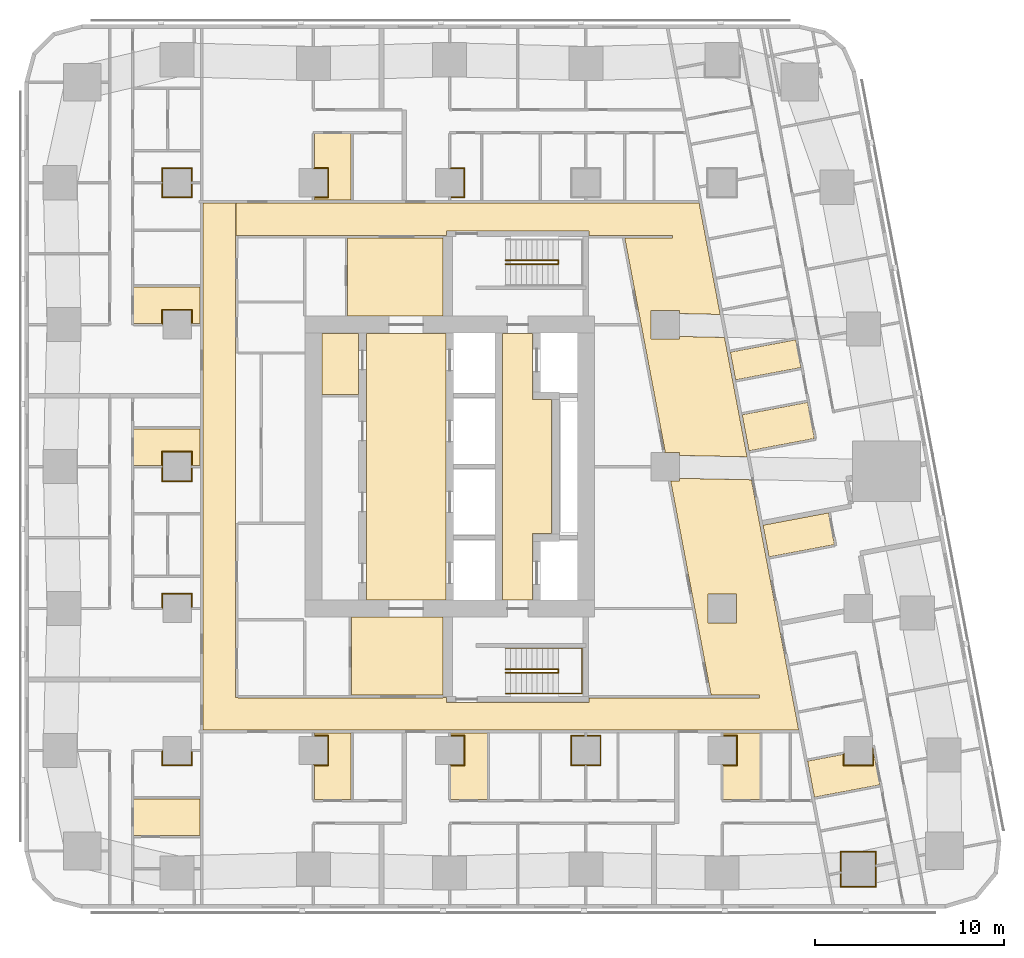
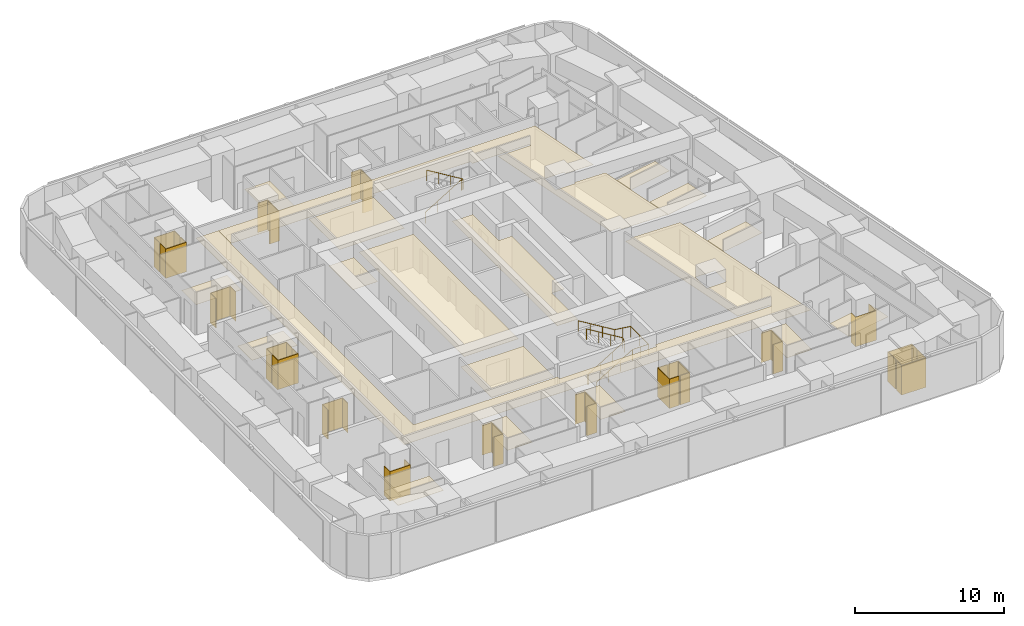
# One storey, part 14 of 15: 35 coverings, 3 railings.
"""IFC4 building model written with IfcOpenShell, lengths in metres."""

from ifc_helpers import new_model, si_unit, direction, frame, origin, origin_2d, place, context, subcontext, project, spatial, polyline, circle, outline, extrude, material, layer, layer_set, type_object, element, save


model = new_model("IFC4")

# Units and contexts
model_context = context("Model", 3, precision=1e-05, world=origin(), true_north=direction((0.0, 1.0)))
body_context = subcontext(model_context, "Body", "Model", "MODEL_VIEW")
ifc_project = project(units=[si_unit("LENGTHUNIT", "METRE"), si_unit("AREAUNIT", "SQUARE_METRE"), si_unit("VOLUMEUNIT", "CUBIC_METRE"), si_unit("PLANEANGLEUNIT", "RADIAN"), si_unit("MASSUNIT", "GRAM", prefix="KILO")], contexts=[model_context])

# Site, building, storey
site_placement = place(None, origin())
site = spatial("IfcSite", under=ifc_project, at=site_placement, CompositionType="ELEMENT")
building_placement = place(site_placement, origin())
building = spatial("IfcBuilding", under=site, at=building_placement, Name="Sheger Commons Tower", CompositionType="ELEMENT")
storey_placement = place(building_placement, frame((0.0, 0.0, 158.300048828125)))
storey = spatial("IfcBuildingStorey", under=building, at=storey_placement, Name="L40", CompositionType="ELEMENT", Elevation=158.300048828125)

# Railings
ifc_material_1 = material(Name="Steel handrail, black powder-coated", Category="steel")
railing_type = type_object("IfcRailingType", Name="HANDRAIL 900", PredefinedType="HANDRAIL", material=ifc_material_1)
railing_1_placement = place(storey_placement, frame((24.550048828125, 11.60009765625, 0.17041015625)))
element("IfcRailing", 1, at=railing_1_placement, inside=storey, type_object=railing_type, Name="Stair S1 handrail L40", PredefinedType="HANDRAIL", context=body_context, shape_type="SweptSolid", body=[
    extrude(circle(Radius=0.02392578125, at=origin_2d()), frame((0.0, 0.0, 0.8759765625), z_axis=(0.854169791009, 0.0, 0.51999420009), x_axis=(0.0, 1.0, 0.0)), (0.0, 0.0, 1.0), 3.278076171875),
    extrude(circle(Radius=0.02392578125, at=origin_2d()), frame((2.800048828125, 0.0, 2.58056640625), z_axis=(0.0, 0.761090297175, 0.648645943136), x_axis=(-1.0, 0.0, 0.0)), (0.0, 0.0, 1.0), 0.2626953125),
    extrude(circle(Radius=0.02392578125, at=origin_2d()), frame((2.800048828125, 0.199951171875, 2.7509765625), z_axis=(-0.854169791009, 0.0, 0.51999420009), x_axis=(0.0, -1.0, 0.0)), (0.0, 0.0, 1.0), 3.278076171875),
    extrude(circle(Radius=0.02099609375, at=origin_2d()), origin(), (0.0, 0.0, 1.0), 0.851806640625),
    extrude(circle(Radius=0.02099609375, at=origin_2d()), frame((0.933349609375, 0.0, 0.568115234375)), (0.0, 0.0, 1.0), 0.851806640625),
    extrude(circle(Radius=0.02099609375, at=origin_2d()), frame((1.86669921875, 0.0, 1.136474609375)), (0.0, 0.0, 1.0), 0.851806640625),
    extrude(circle(Radius=0.02099609375, at=origin_2d()), frame((2.800048828125, 0.0, 1.70458984375)), (0.0, 0.0, 1.0), 0.851806640625),
    extrude(circle(Radius=0.02099609375, at=origin_2d()), frame((2.800048828125, 0.199951171875, 1.875)), (0.0, 0.0, 1.0), 0.851806640625),
    extrude(circle(Radius=0.02099609375, at=origin_2d()), frame((1.86669921875, 0.199951171875, 2.443115234375)), (0.0, 0.0, 1.0), 0.851806640625),
    extrude(circle(Radius=0.02099609375, at=origin_2d()), frame((0.933349609375, 0.199951171875, 3.011474609375)), (0.0, 0.0, 1.0), 0.851806640625),
    extrude(circle(Radius=0.02099609375, at=origin_2d()), frame((0.0, 0.199951171875, 3.57958984375)), (0.0, 0.0, 1.0), 0.851806640625),
])
railing_2_placement = place(storey_placement, frame((24.550048828125, 10.5, 0.17041015625)))
element("IfcRailing", 2, at=railing_2_placement, inside=storey, type_object=railing_type, Name="Stair S1 handrail L40", PredefinedType="HANDRAIL", context=body_context, shape_type="SweptSolid", body=[
    extrude(circle(Radius=0.02392578125, at=origin_2d()), frame((0.0, 0.0, 0.8759765625), z_axis=(0.854169791009, 0.0, 0.51999420009), x_axis=(0.0, 1.0, 0.0)), (0.0, 0.0, 1.0), 3.278076171875),
    extrude(circle(Radius=0.02392578125, at=origin_2d()), frame((2.800048828125, 0.0, 2.58056640625), z_axis=(1.0, 0.0, 0.0), x_axis=(0.0, 1.0, 0.0)), (0.0, 0.0, 1.0), 1.25),
    extrude(circle(Radius=0.02392578125, at=origin_2d()), frame((4.050048828125, 0.0, 2.58056640625), z_axis=(0.0, 1.0, 0.0), x_axis=(-1.0, 0.0, 0.0)), (0.0, 0.0, 1.0), 2.39990234375),
    extrude(circle(Radius=0.02392578125, at=origin_2d()), frame((4.050048828125, 2.39990234375, 2.58056640625), z_axis=(-0.990834877927, 0.0, 0.135078661092), x_axis=(0.0, -1.0, 0.0)), (0.0, 0.0, 1.0), 1.261474609375),
    extrude(circle(Radius=0.02392578125, at=origin_2d()), frame((2.800048828125, 2.39990234375, 2.7509765625), z_axis=(-0.854169791009, 0.0, 0.51999420009), x_axis=(0.0, -1.0, 0.0)), (0.0, 0.0, 1.0), 3.278076171875),
    extrude(circle(Radius=0.02099609375, at=origin_2d()), origin(), (0.0, 0.0, 1.0), 0.851806640625),
    extrude(circle(Radius=0.02099609375, at=origin_2d()), frame((0.933349609375, 0.0, 0.568115234375)), (0.0, 0.0, 1.0), 0.851806640625),
    extrude(circle(Radius=0.02099609375, at=origin_2d()), frame((1.86669921875, 0.0, 1.136474609375)), (0.0, 0.0, 1.0), 0.851806640625),
    extrude(circle(Radius=0.02099609375, at=origin_2d()), frame((2.800048828125, 0.0, 1.70458984375)), (0.0, 0.0, 1.0), 0.851806640625),
    extrude(circle(Radius=0.02099609375, at=origin_2d()), frame((3.425048828125, 0.0, 1.70458984375)), (0.0, 0.0, 1.0), 0.851806640625),
    extrude(circle(Radius=0.02099609375, at=origin_2d()), frame((4.050048828125, 0.0, 1.70458984375)), (0.0, 0.0, 1.0), 0.851806640625),
    extrude(circle(Radius=0.02099609375, at=origin_2d()), frame((4.050048828125, 1.199951171875, 1.70458984375)), (0.0, 0.0, 1.0), 0.851806640625),
    extrude(circle(Radius=0.02099609375, at=origin_2d()), frame((4.050048828125, 2.39990234375, 1.70458984375)), (0.0, 0.0, 1.0), 0.851806640625),
    extrude(circle(Radius=0.02099609375, at=origin_2d()), frame((3.425048828125, 2.39990234375, 1.789794921875)), (0.0, 0.0, 1.0), 0.851806640625),
    extrude(circle(Radius=0.02099609375, at=origin_2d()), frame((2.800048828125, 2.39990234375, 1.875)), (0.0, 0.0, 1.0), 0.851806640625),
    extrude(circle(Radius=0.02099609375, at=origin_2d()), frame((1.86669921875, 2.39990234375, 2.443115234375)), (0.0, 0.0, 1.0), 0.851806640625),
    extrude(circle(Radius=0.02099609375, at=origin_2d()), frame((0.933349609375, 2.39990234375, 3.011474609375)), (0.0, 0.0, 1.0), 0.851806640625),
    extrude(circle(Radius=0.02099609375, at=origin_2d()), frame((0.0, 2.39990234375, 3.57958984375)), (0.0, 0.0, 1.0), 0.851806640625),
])
railing_3_placement = place(storey_placement, frame((24.550048828125, 33.39990234375, 0.17041015625)))
element("IfcRailing", 3, at=railing_3_placement, inside=storey, type_object=railing_type, Name="Stair S2 handrail L40", PredefinedType="HANDRAIL", context=body_context, shape_type="SweptSolid", body=[
    extrude(circle(Radius=0.02392578125, at=origin_2d()), frame((0.0, 0.0, 0.8759765625), z_axis=(0.854169791009, 0.0, 0.51999420009), x_axis=(0.0, 1.0, 0.0)), (0.0, 0.0, 1.0), 3.278076171875),
    extrude(circle(Radius=0.02392578125, at=origin_2d()), frame((2.800048828125, 0.0, 2.58056640625), z_axis=(0.0, -0.761090297175, 0.648645943136), x_axis=(1.0, 0.0, 0.0)), (0.0, 0.0, 1.0), 0.2626953125),
    extrude(circle(Radius=0.02392578125, at=origin_2d()), frame((2.800048828125, -0.199951171875, 2.7509765625), z_axis=(-0.854169791009, 0.0, 0.51999420009), x_axis=(0.0, -1.0, 0.0)), (0.0, 0.0, 1.0), 3.278076171875),
    extrude(circle(Radius=0.02099609375, at=origin_2d()), origin(), (0.0, 0.0, 1.0), 0.851806640625),
    extrude(circle(Radius=0.02099609375, at=origin_2d()), frame((0.933349609375, 0.0, 0.568115234375)), (0.0, 0.0, 1.0), 0.851806640625),
    extrude(circle(Radius=0.02099609375, at=origin_2d()), frame((1.86669921875, 0.0, 1.136474609375)), (0.0, 0.0, 1.0), 0.851806640625),
    extrude(circle(Radius=0.02099609375, at=origin_2d()), frame((2.800048828125, 0.0, 1.70458984375)), (0.0, 0.0, 1.0), 0.851806640625),
    extrude(circle(Radius=0.02099609375, at=origin_2d()), frame((2.800048828125, -0.199951171875, 1.875)), (0.0, 0.0, 1.0), 0.851806640625),
    extrude(circle(Radius=0.02099609375, at=origin_2d()), frame((1.86669921875, -0.199951171875, 2.443115234375)), (0.0, 0.0, 1.0), 0.851806640625),
    extrude(circle(Radius=0.02099609375, at=origin_2d()), frame((0.933349609375, -0.199951171875, 3.011474609375)), (0.0, 0.0, 1.0), 0.851806640625),
    extrude(circle(Radius=0.02099609375, at=origin_2d()), frame((0.0, -0.199951171875, 3.57958984375)), (0.0, 0.0, 1.0), 0.851806640625),
])

# Coverings
ifc_material_2 = material(Name="Moisture-resistant gypsum plasterboard 15 mm on a suspended galvanised steel grid", Category="steel")
ifc_layer_1 = layer(ifc_material_2, 0.014892578125)
ifc_layer_set_1 = layer_set([ifc_layer_1], Name="MOISTURE-RESISTANT CEILING 15")
covering_type_1 = type_object("IfcCoveringType", Name="MOISTURE-RESISTANT CEILING 15", PredefinedType="CEILING", material=ifc_layer_set_1)
covering_1_placement = place(storey_placement, frame((0.0, 0.0, 2.39990234375)))
element("IfcCovering", 4, at=covering_1_placement, inside=storey, type_object=covering_type_1, Name="L40-01.B2 ceiling", PredefinedType="CEILING", context=body_context, shape_type="SweptSolid", body=[
    extrude(outline(polyline([(4.905029296875, 3.00390625), (8.419921875, 3.00390625), (8.419921875, 4.944091796875), (4.905029296875, 4.944091796875), (4.905029296875, 3.00390625)])), origin(), (0.0, 0.0, 1.0), 0.01513671875),
])
covering_2_placement = place(storey_placement, frame((0.0, 0.0, 2.39990234375)))
element("IfcCovering", 5, at=covering_2_placement, inside=storey, type_object=covering_type_1, Name="L40-02.B3 ceiling", PredefinedType="CEILING", context=body_context, shape_type="SweptSolid", body=[
    extrude(outline(polyline([(4.905029296875, 22.554931640625), (6.445068359375, 22.554931640625), (6.445068359375, 23.2548828125), (7.955078125, 23.2548828125), (7.955078125, 22.554931640625), (8.419921875, 22.554931640625), (8.419921875, 24.4951171875), (4.905029296875, 24.4951171875), (4.905029296875, 22.554931640625)])), origin(), (0.0, 0.0, 1.0), 0.01513671875),
])
covering_3_placement = place(storey_placement, frame((0.0, 0.0, 2.39990234375)))
element("IfcCovering", 6, at=covering_3_placement, inside=storey, type_object=covering_type_1, Name="L40-03.B1 ceiling", PredefinedType="CEILING", context=body_context, shape_type="SweptSolid", body=[
    extrude(outline(polyline([(4.905029296875, 30.054931640625), (6.445068359375, 30.054931640625), (6.445068359375, 30.7548828125), (7.955078125, 30.7548828125), (7.955078125, 30.054931640625), (8.419921875, 30.054931640625), (8.419921875, 31.9951171875), (4.905029296875, 31.9951171875), (4.905029296875, 30.054931640625)])), origin(), (0.0, 0.0, 1.0), 0.01513671875),
])
covering_4_placement = place(storey_placement, frame((0.0, 0.0, 2.39990234375)))
element("IfcCovering", 7, at=covering_4_placement, inside=storey, type_object=covering_type_1, Name="L40-04.B1 ceiling", PredefinedType="CEILING", context=body_context, shape_type="SweptSolid", body=[
    extrude(outline(polyline([(14.455078125, 4.905029296875), (16.39501953125, 4.905029296875), (16.39501953125, 8.419921875), (14.455078125, 8.419921875), (14.455078125, 8.2548828125), (15.155029296875, 8.2548828125), (15.155029296875, 6.7451171875), (14.455078125, 6.7451171875), (14.455078125, 4.905029296875)])), origin(), (0.0, 0.0, 1.0), 0.01513671875),
])
covering_5_placement = place(storey_placement, frame((0.0, 0.0, 2.39990234375)))
element("IfcCovering", 8, at=covering_5_placement, inside=storey, type_object=covering_type_1, Name="L40-05.B1 ceiling", PredefinedType="CEILING", context=body_context, shape_type="SweptSolid", body=[
    extrude(outline(polyline([(21.655029296875, 4.905029296875), (23.594970703125, 4.905029296875), (23.594970703125, 8.419921875), (21.655029296875, 8.419921875), (21.655029296875, 8.2548828125), (22.35498046875, 8.2548828125), (22.35498046875, 6.7451171875), (21.655029296875, 6.7451171875), (21.655029296875, 4.905029296875)])), origin(), (0.0, 0.0, 1.0), 0.01513671875),
])
covering_6_placement = place(storey_placement, frame((0.0, 0.0, 2.39990234375)))
element("IfcCovering", 9, at=covering_6_placement, inside=storey, type_object=covering_type_1, Name="L40-06.B1 ceiling", PredefinedType="CEILING", context=body_context, shape_type="SweptSolid", body=[
    extrude(outline(polyline([(36.054931640625, 4.905029296875), (37.9951171875, 4.905029296875), (37.9951171875, 8.419921875), (36.054931640625, 8.419921875), (36.054931640625, 8.2548828125), (36.7548828125, 8.2548828125), (36.7548828125, 6.7451171875), (36.054931640625, 6.7451171875), (36.054931640625, 4.905029296875)])), origin(), (0.0, 0.0, 1.0), 0.01513671875),
])
covering_7_placement = place(storey_placement, frame((0.0, 0.0, 2.39990234375)))
element("IfcCovering", 10, at=covering_7_placement, inside=storey, type_object=covering_type_1, Name="L40-07.B1 ceiling", PredefinedType="CEILING", context=body_context, shape_type="SweptSolid", body=[
    extrude(outline(polyline([(37.423095703125, 23.333984375), (40.876953125, 23.987060546875), (40.51708984375, 25.89306640625), (37.06298828125, 25.240966796875), (37.423095703125, 23.333984375)])), origin(), (0.0, 0.0, 1.0), 0.01513671875),
])
covering_8_placement = place(storey_placement, frame((0.0, 0.0, 2.39990234375)))
element("IfcCovering", 11, at=covering_8_placement, inside=storey, type_object=covering_type_1, Name="L40-07.B2 ceiling", PredefinedType="CEILING", context=body_context, shape_type="SweptSolid", body=[
    extrude(outline(polyline([(36.715087890625, 27.083984375), (40.1689453125, 27.736083984375), (39.89208984375, 29.200927734375), (36.43798828125, 28.548095703125), (36.715087890625, 27.083984375)])), origin(), (0.0, 0.0, 1.0), 0.01513671875),
])
covering_9_placement = place(storey_placement, frame((0.0, 0.0, 2.39990234375)))
element("IfcCovering", 12, at=covering_9_placement, inside=storey, type_object=covering_type_1, Name="L40-08.B1 ceiling", PredefinedType="CEILING", context=body_context, shape_type="SweptSolid", body=[
    extrude(outline(polyline([(38.48193359375, 17.72802734375), (41.93701171875, 18.3798828125), (41.6201171875, 20.054931640625), (38.166015625, 19.403076171875), (38.48193359375, 17.72802734375)])), origin(), (0.0, 0.0, 1.0), 0.01513671875),
])
covering_10_placement = place(storey_placement, frame((0.0, 0.0, 2.39990234375)))
element("IfcCovering", 13, at=covering_10_placement, inside=storey, type_object=covering_type_1, Name="L40-09.B2 ceiling", PredefinedType="CEILING", context=body_context, shape_type="SweptSolid", body=[
    extrude(outline(polyline([(40.8798828125, 5.031982421875), (44.3349609375, 5.68408203125), (43.964111328125, 7.64501953125), (43.955078125, 7.64306640625), (43.955078125, 6.7451171875), (42.445068359375, 6.7451171875), (42.445068359375, 7.302001953125), (40.52001953125, 6.93798828125), (40.8798828125, 5.031982421875)])), origin(), (0.0, 0.0, 1.0), 0.01513671875),
])
covering_11_placement = place(storey_placement, frame((0.0, 0.0, 2.39990234375)))
element("IfcCovering", 14, at=covering_11_placement, inside=storey, type_object=covering_type_1, Name="L40-10.B1 ceiling", PredefinedType="CEILING", context=body_context, shape_type="SweptSolid", body=[
    extrude(outline(polyline([(14.455078125, 36.580078125), (16.39501953125, 36.580078125), (16.39501953125, 40.094970703125), (14.455078125, 40.094970703125), (14.455078125, 38.2548828125), (15.155029296875, 38.2548828125), (15.155029296875, 36.7451171875), (14.455078125, 36.7451171875), (14.455078125, 36.580078125)])), origin(), (0.0, 0.0, 1.0), 0.01513671875),
])
covering_12_placement = place(storey_placement, frame((0.0, 0.0, 2.39990234375)))
element("IfcCovering", 15, at=covering_12_placement, inside=storey, type_object=covering_type_1, Name="L40-CRB2 ceiling", PredefinedType="CEILING", context=body_context, shape_type="SweptSolid", body=[
    extrude(outline(polyline([(14.85498046875, 26.31689453125), (16.794921875, 26.31689453125), (16.794921875, 29.544921875), (14.85498046875, 29.544921875), (14.85498046875, 26.31689453125)])), origin(), (0.0, 0.0, 1.0), 0.01513671875),
])
ifc_material_3 = material(Name="Gypsum plasterboard 15 mm on a suspended steel grid", Category="steel")
ifc_layer_2 = layer(ifc_material_3, 0.014892578125)
ifc_layer_set_2 = layer_set([ifc_layer_2], Name="SUSPENDED CEILING 15")
covering_type_2 = type_object("IfcCoveringType", Name="SUSPENDED CEILING 15", PredefinedType="CEILING", material=ifc_layer_set_2)
covering_13_placement = place(storey_placement, frame((0.0, 0.0, 2.699951171875)))
element("IfcCovering", 16, at=covering_13_placement, inside=storey, type_object=covering_type_2, Name="L40-CO ceiling", PredefinedType="CEILING", context=body_context, shape_type="SweptSolid", body=[
    extrude(outline(polyline([(8.580078125, 8.580078125), (40.047119140625, 8.580078125), (37.549072265625, 21.802978515625), (33.7548828125, 21.8798828125), (33.7548828125, 21.7451171875), (33.283935546875, 21.7451171875), (35.4208984375, 10.431884765625), (35.384033203125, 10.425048828125), (35.385986328125, 10.41796875), (37.968017578125, 10.41796875), (37.968017578125, 10.281982421875), (28.955078125, 10.281982421875), (28.955078125, 10.044921875), (21.445068359375, 10.044921875), (21.445068359375, 10.300048828125), (21.2548828125, 10.300048828125), (21.2548828125, 10.281982421875), (10.407958984375, 10.281982421875), (10.407958984375, 10.294921875), (10.281982421875, 10.294921875), (10.281982421875, 19.5048828125), (10.300048828125, 19.5048828125), (10.300048828125, 28.4951171875), (10.281982421875, 28.4951171875), (10.281982421875, 34.705078125), (10.298095703125, 34.705078125), (10.298095703125, 36.419921875), (8.580078125, 36.419921875), (8.580078125, 8.580078125)]), holes=[polyline([(35.2451171875, 15.7548828125), (36.7548828125, 15.7548828125), (36.7548828125, 14.2451171875), (35.2451171875, 14.2451171875), (35.2451171875, 15.7548828125)])]), origin(), (0.0, 0.0, 1.0), 0.014892578125),
])
covering_14_placement = place(storey_placement, frame((0.0, 0.0, 2.699951171875)))
element("IfcCovering", 17, at=covering_14_placement, inside=storey, type_object=covering_type_2, Name="L40-CO ceiling", PredefinedType="CEILING", context=body_context, shape_type="SweptSolid", body=[
    extrude(outline(polyline([(37.320068359375, 23.01806640625), (36.12890625, 29.323974609375), (33.7548828125, 29.3779296875), (33.7548828125, 29.2451171875), (32.2451171875, 29.2451171875), (32.2451171875, 30.7548828125), (33.7548828125, 30.7548828125), (33.7548828125, 30.587890625), (35.89892578125, 30.5400390625), (34.77294921875, 36.5), (34.77001953125, 36.5), (34.77001953125, 36.419921875), (33.365966796875, 36.419921875), (33.361083984375, 34.719970703125), (33.361083984375, 36.419921875), (10.302978515625, 36.419921875), (10.302978515625, 34.705078125), (10.407958984375, 34.705078125), (10.407958984375, 34.718017578125), (21.2548828125, 34.718017578125), (21.2548828125, 34.699951171875), (21.445068359375, 34.699951171875), (21.445068359375, 34.955078125), (28.955078125, 34.955078125), (28.955078125, 34.718017578125), (33.361083984375, 34.718017578125), (33.3779296875, 34.718017578125), (33.3779296875, 34.58203125), (30.85888671875, 34.58203125), (32.99609375, 23.27099609375), (32.958984375, 23.263916015625), (32.9609375, 23.2548828125), (33.7548828125, 23.2548828125), (33.7548828125, 23.090087890625), (37.320068359375, 23.01806640625)])), origin(), (0.0, 0.0, 1.0), 0.014892578125),
])
covering_15_placement = place(storey_placement, frame((0.0, 0.0, 2.699951171875)))
element("IfcCovering", 18, at=covering_15_placement, inside=storey, type_object=covering_type_2, Name="L40-SVS1 ceiling", PredefinedType="CEILING", context=body_context, shape_type="SweptSolid", body=[
    extrude(outline(polyline([(16.406982421875, 10.41796875), (21.2451171875, 10.41796875), (21.2451171875, 14.544921875), (16.406982421875, 14.544921875), (16.406982421875, 10.41796875)])), origin(), (0.0, 0.0, 1.0), 0.014892578125),
])
covering_16_placement = place(storey_placement, frame((0.0, 0.0, 2.699951171875)))
element("IfcCovering", 19, at=covering_16_placement, inside=storey, type_object=covering_type_2, Name="L40-SVN1 ceiling", PredefinedType="CEILING", context=body_context, shape_type="SweptSolid", body=[
    extrude(outline(polyline([(16.217041015625, 30.455078125), (21.2451171875, 30.455078125), (21.2451171875, 34.58203125), (16.217041015625, 34.58203125), (16.217041015625, 30.455078125)])), origin(), (0.0, 0.0, 1.0), 0.014892578125),
])
covering_17_placement = place(storey_placement, frame((0.0, 0.0, 2.699951171875)))
element("IfcCovering", 20, at=covering_17_placement, inside=storey, type_object=covering_type_2, Name="L40-LL ceiling", PredefinedType="CEILING", context=body_context, shape_type="SweptSolid", body=[
    extrude(outline(polyline([(17.205078125, 15.455078125), (21.39990234375, 15.455078125), (21.39990234375, 29.544921875), (17.205078125, 29.544921875), (17.205078125, 15.455078125)])), origin(), (0.0, 0.0, 1.0), 0.014892578125),
])
covering_18_placement = place(storey_placement, frame((0.0, 0.0, 2.699951171875)))
element("IfcCovering", 21, at=covering_18_placement, inside=storey, type_object=covering_type_2, Name="L40-FL ceiling", PredefinedType="CEILING", context=body_context, shape_type="SweptSolid", body=[
    extrude(outline(polyline([(24.405029296875, 15.455078125), (25.9951171875, 15.455078125), (25.9951171875, 18.955078125), (26.9951171875, 18.955078125), (26.9951171875, 26.044921875), (25.9951171875, 26.044921875), (25.9951171875, 29.544921875), (24.405029296875, 29.544921875), (24.405029296875, 15.455078125)])), origin(), (0.0, 0.0, 1.0), 0.014892578125),
])
ifc_material_4 = material(Name="Moisture-resistant gypsum board 12.5 mm on 25 mm treated timber battens, tanked and tiled", Category="wood")
ifc_layer_3 = layer(ifc_material_4, 0.050048828125)
ifc_layer_set_3 = layer_set([ifc_layer_3], Name="WET-ROOM COLUMN LINING")
covering_type_3 = type_object("IfcCoveringType", Name="WET-ROOM COLUMN LINING", PredefinedType="CLADDING", material=ifc_layer_set_3)
covering_19_placement = place(storey_placement, origin())
element("IfcCovering", 22, at=covering_19_placement, inside=storey, type_object=covering_type_3, Name="Laundry room column lining C8 L40", PredefinedType="CLADDING", context=body_context, shape_type="SweptSolid", body=[
    extrude(outline(polyline([(44.14990234375, 2.175048828125), (44.14990234375, 1.455078125), (44.10107421875, 1.446044921875), (44.110107421875, 1.39697265625), (44.10009765625, 1.39501953125), (44.10009765625, 2.125), (42.300048828125, 2.125), (42.300048828125, 1.055908203125), (42.2900390625, 1.053955078125), (42.281005859375, 1.10205078125), (42.25, 1.095947265625), (42.25, 2.175048828125), (44.14990234375, 2.175048828125)])), origin(), (0.0, 0.0, 1.0), 2.39990234375),
])
covering_20_placement = place(storey_placement, origin())
element("IfcCovering", 23, at=covering_20_placement, inside=storey, type_object=covering_type_3, Name="Store and laundry column lining C8 L40", PredefinedType="CLADDING", context=body_context, shape_type="SweptSolid", body=[
    extrude(outline(polyline([(42.300048828125, 1.055908203125), (42.300048828125, 0.324951171875), (44.10009765625, 0.324951171875), (44.10009765625, 1.39501953125), (44.110107421875, 1.39697265625), (44.118896484375, 1.347900390625), (44.14990234375, 1.35400390625), (44.14990234375, 0.27490234375), (42.25, 0.27490234375), (42.25, 0.9951171875), (42.299072265625, 1.00390625), (42.2900390625, 1.053955078125), (42.300048828125, 1.055908203125)])), origin(), (0.0, 0.0, 1.0), 2.39990234375),
])
covering_21_placement = place(storey_placement, origin())
element("IfcCovering", 24, at=covering_21_placement, inside=storey, type_object=covering_type_3, Name="Store and laundry column lining C10 L40", PredefinedType="CLADDING", context=body_context, shape_type="SweptSolid", body=[
    extrude(outline(polyline([(6.449951171875, 7.5), (6.449951171875, 6.75), (7.949951171875, 6.75), (7.949951171875, 7.5), (7.950927734375, 7.5), (7.950927734375, 7.449951171875), (8.0, 7.449951171875), (8.0, 6.699951171875), (6.39990234375, 6.699951171875), (6.39990234375, 7.449951171875), (6.448974609375, 7.449951171875), (6.448974609375, 7.5), (6.449951171875, 7.5)])), origin(), (0.0, 0.0, 1.0), 2.39990234375),
])
covering_22_placement = place(storey_placement, origin())
element("IfcCovering", 25, at=covering_22_placement, inside=storey, type_object=covering_type_3, Name="Bathroom column lining C10 L40", PredefinedType="CLADDING", context=body_context, shape_type="SweptSolid", body=[
    extrude(outline(polyline([(15.199951171875, 6.699951171875), (14.449951171875, 6.699951171875), (14.449951171875, 6.7490234375), (14.39990234375, 6.7490234375), (14.39990234375, 6.75), (15.14990234375, 6.75), (15.14990234375, 8.25), (14.39990234375, 8.25), (14.39990234375, 8.2509765625), (14.449951171875, 8.2509765625), (14.449951171875, 8.300048828125), (15.199951171875, 8.300048828125), (15.199951171875, 6.699951171875)])), origin(), (0.0, 0.0, 1.0), 2.39990234375),
])
covering_23_placement = place(storey_placement, origin())
element("IfcCovering", 26, at=covering_23_placement, inside=storey, type_object=covering_type_3, Name="Bathroom column lining C10 L40", PredefinedType="CLADDING", context=body_context, shape_type="SweptSolid", body=[
    extrude(outline(polyline([(22.39990234375, 6.699951171875), (21.64990234375, 6.699951171875), (21.64990234375, 6.7490234375), (21.60009765625, 6.7490234375), (21.60009765625, 6.75), (22.35009765625, 6.75), (22.35009765625, 8.25), (21.60009765625, 8.25), (21.60009765625, 8.2509765625), (21.64990234375, 8.2509765625), (21.64990234375, 8.300048828125), (22.39990234375, 8.300048828125), (22.39990234375, 6.699951171875)])), origin(), (0.0, 0.0, 1.0), 2.39990234375),
])
covering_24_placement = place(storey_placement, origin())
element("IfcCovering", 27, at=covering_24_placement, inside=storey, type_object=covering_type_3, Name="Laundry room column lining C10 L40", PredefinedType="CLADDING", context=body_context, shape_type="SweptSolid", body=[
    extrude(outline(polyline([(28.75, 8.300048828125), (28.75, 8.2509765625), (28.800048828125, 8.2509765625), (28.800048828125, 8.25), (28.050048828125, 8.25), (28.050048828125, 6.75), (28.800048828125, 6.75), (28.800048828125, 6.7490234375), (28.75, 6.7490234375), (28.75, 6.699951171875), (28.0, 6.699951171875), (28.0, 8.300048828125), (28.75, 8.300048828125)])), origin(), (0.0, 0.0, 1.0), 2.39990234375),
])
covering_25_placement = place(storey_placement, origin())
element("IfcCovering", 28, at=covering_25_placement, inside=storey, type_object=covering_type_3, Name="Laundry room column lining C10 L40", PredefinedType="CLADDING", context=body_context, shape_type="SweptSolid", body=[
    extrude(outline(polyline([(29.60009765625, 6.699951171875), (28.85009765625, 6.699951171875), (28.85009765625, 6.7490234375), (28.800048828125, 6.7490234375), (28.800048828125, 6.75), (29.550048828125, 6.75), (29.550048828125, 8.25), (28.800048828125, 8.25), (28.800048828125, 8.2509765625), (28.85009765625, 8.2509765625), (28.85009765625, 8.300048828125), (29.60009765625, 8.300048828125), (29.60009765625, 6.699951171875)])), origin(), (0.0, 0.0, 1.0), 2.39990234375),
])
covering_26_placement = place(storey_placement, origin())
element("IfcCovering", 29, at=covering_26_placement, inside=storey, type_object=covering_type_3, Name="Bathroom column lining C10 L40", PredefinedType="CLADDING", context=body_context, shape_type="SweptSolid", body=[
    extrude(outline(polyline([(36.800048828125, 6.699951171875), (36.050048828125, 6.699951171875), (36.050048828125, 6.7490234375), (36.0, 6.7490234375), (36.0, 6.75), (36.75, 6.75), (36.75, 8.25), (36.0, 8.25), (36.0, 8.2509765625), (36.050048828125, 8.2509765625), (36.050048828125, 8.300048828125), (36.800048828125, 8.300048828125), (36.800048828125, 6.699951171875)])), origin(), (0.0, 0.0, 1.0), 2.39990234375),
])
covering_27_placement = place(storey_placement, origin())
element("IfcCovering", 30, at=covering_27_placement, inside=storey, type_object=covering_type_3, Name="Bathroom column lining C10 L40", PredefinedType="CLADDING", context=body_context, shape_type="SweptSolid", body=[
    extrude(outline(polyline([(42.449951171875, 7.35888671875), (42.449951171875, 6.75), (43.949951171875, 6.75), (43.949951171875, 7.64208984375), (43.968994140625, 7.64599609375), (44.0, 7.48095703125), (44.0, 6.699951171875), (42.39990234375, 6.699951171875), (42.39990234375, 7.299072265625), (42.448974609375, 7.30810546875), (42.43994140625, 7.35693359375), (42.449951171875, 7.35888671875)])), origin(), (0.0, 0.0, 1.0), 2.39990234375),
])
covering_28_placement = place(storey_placement, origin())
element("IfcCovering", 31, at=covering_28_placement, inside=storey, type_object=covering_type_3, Name="Laundry room column lining C10 L40", PredefinedType="CLADDING", context=body_context, shape_type="SweptSolid", body=[
    extrude(outline(polyline([(8.0, 15.800048828125), (8.0, 15.050048828125), (7.950927734375, 15.050048828125), (7.950927734375, 15.0), (7.949951171875, 15.0), (7.949951171875, 15.75), (6.449951171875, 15.75), (6.449951171875, 15.0), (6.448974609375, 15.0), (6.448974609375, 15.050048828125), (6.39990234375, 15.050048828125), (6.39990234375, 15.800048828125), (8.0, 15.800048828125)])), origin(), (0.0, 0.0, 1.0), 2.39990234375),
])
covering_29_placement = place(storey_placement, origin())
element("IfcCovering", 32, at=covering_29_placement, inside=storey, type_object=covering_type_3, Name="Store and laundry column lining C10 L40", PredefinedType="CLADDING", context=body_context, shape_type="SweptSolid", body=[
    extrude(outline(polyline([(6.449951171875, 22.5), (6.449951171875, 21.75), (7.949951171875, 21.75), (7.949951171875, 22.5), (7.950927734375, 22.5), (7.950927734375, 22.449951171875), (8.0, 22.449951171875), (8.0, 21.699951171875), (6.39990234375, 21.699951171875), (6.39990234375, 22.449951171875), (6.448974609375, 22.449951171875), (6.448974609375, 22.5), (6.449951171875, 22.5)])), origin(), (0.0, 0.0, 1.0), 2.39990234375),
])
covering_30_placement = place(storey_placement, origin())
element("IfcCovering", 33, at=covering_30_placement, inside=storey, type_object=covering_type_3, Name="Bathroom column lining C10 L40", PredefinedType="CLADDING", context=body_context, shape_type="SweptSolid", body=[
    extrude(outline(polyline([(8.0, 23.300048828125), (8.0, 22.550048828125), (7.950927734375, 22.550048828125), (7.950927734375, 22.5), (7.949951171875, 22.5), (7.949951171875, 23.25), (6.449951171875, 23.25), (6.449951171875, 22.5), (6.448974609375, 22.5), (6.448974609375, 22.550048828125), (6.39990234375, 22.550048828125), (6.39990234375, 23.300048828125), (8.0, 23.300048828125)])), origin(), (0.0, 0.0, 1.0), 2.39990234375),
])
covering_31_placement = place(storey_placement, origin())
element("IfcCovering", 34, at=covering_31_placement, inside=storey, type_object=covering_type_3, Name="Bathroom column lining C10 L40", PredefinedType="CLADDING", context=body_context, shape_type="SweptSolid", body=[
    extrude(outline(polyline([(8.0, 30.800048828125), (8.0, 30.050048828125), (7.950927734375, 30.050048828125), (7.950927734375, 30.0), (7.949951171875, 30.0), (7.949951171875, 30.75), (6.449951171875, 30.75), (6.449951171875, 30.0), (6.448974609375, 30.0), (6.448974609375, 30.050048828125), (6.39990234375, 30.050048828125), (6.39990234375, 30.800048828125), (8.0, 30.800048828125)])), origin(), (0.0, 0.0, 1.0), 2.39990234375),
])
covering_32_placement = place(storey_placement, origin())
element("IfcCovering", 35, at=covering_32_placement, inside=storey, type_object=covering_type_3, Name="Store and laundry column lining C10 L40", PredefinedType="CLADDING", context=body_context, shape_type="SweptSolid", body=[
    extrude(outline(polyline([(6.449951171875, 37.5), (6.449951171875, 36.75), (7.949951171875, 36.75), (7.949951171875, 37.5), (7.950927734375, 37.5), (7.950927734375, 37.449951171875), (8.0, 37.449951171875), (8.0, 36.699951171875), (6.39990234375, 36.699951171875), (6.39990234375, 37.449951171875), (6.448974609375, 37.449951171875), (6.448974609375, 37.5), (6.449951171875, 37.5)])), origin(), (0.0, 0.0, 1.0), 2.39990234375),
])
covering_33_placement = place(storey_placement, origin())
element("IfcCovering", 36, at=covering_33_placement, inside=storey, type_object=covering_type_3, Name="Laundry room column lining C10 L40", PredefinedType="CLADDING", context=body_context, shape_type="SweptSolid", body=[
    extrude(outline(polyline([(8.0, 38.300048828125), (8.0, 37.550048828125), (7.950927734375, 37.550048828125), (7.950927734375, 37.5), (7.949951171875, 37.5), (7.949951171875, 38.25), (6.449951171875, 38.25), (6.449951171875, 37.5), (6.448974609375, 37.5), (6.448974609375, 37.550048828125), (6.39990234375, 37.550048828125), (6.39990234375, 38.300048828125), (8.0, 38.300048828125)])), origin(), (0.0, 0.0, 1.0), 2.39990234375),
])
covering_34_placement = place(storey_placement, origin())
element("IfcCovering", 37, at=covering_34_placement, inside=storey, type_object=covering_type_3, Name="Bathroom column lining C10 L40", PredefinedType="CLADDING", context=body_context, shape_type="SweptSolid", body=[
    extrude(outline(polyline([(15.199951171875, 36.699951171875), (14.449951171875, 36.699951171875), (14.449951171875, 36.7490234375), (14.39990234375, 36.7490234375), (14.39990234375, 36.75), (15.14990234375, 36.75), (15.14990234375, 38.25), (14.39990234375, 38.25), (14.39990234375, 38.2509765625), (14.449951171875, 38.2509765625), (14.449951171875, 38.300048828125), (15.199951171875, 38.300048828125), (15.199951171875, 36.699951171875)])), origin(), (0.0, 0.0, 1.0), 2.39990234375),
])
covering_35_placement = place(storey_placement, origin())
element("IfcCovering", 38, at=covering_35_placement, inside=storey, type_object=covering_type_3, Name="Laundry room column lining C10 L40", PredefinedType="CLADDING", context=body_context, shape_type="SweptSolid", body=[
    extrude(outline(polyline([(22.39990234375, 36.699951171875), (21.64990234375, 36.699951171875), (21.64990234375, 36.7490234375), (21.60009765625, 36.7490234375), (21.60009765625, 36.75), (22.35009765625, 36.75), (22.35009765625, 38.25), (21.60009765625, 38.25), (21.60009765625, 38.2509765625), (21.64990234375, 38.2509765625), (21.64990234375, 38.300048828125), (22.39990234375, 38.300048828125), (22.39990234375, 36.699951171875)])), origin(), (0.0, 0.0, 1.0), 2.39990234375),
])

save(model, "model.ifc")
